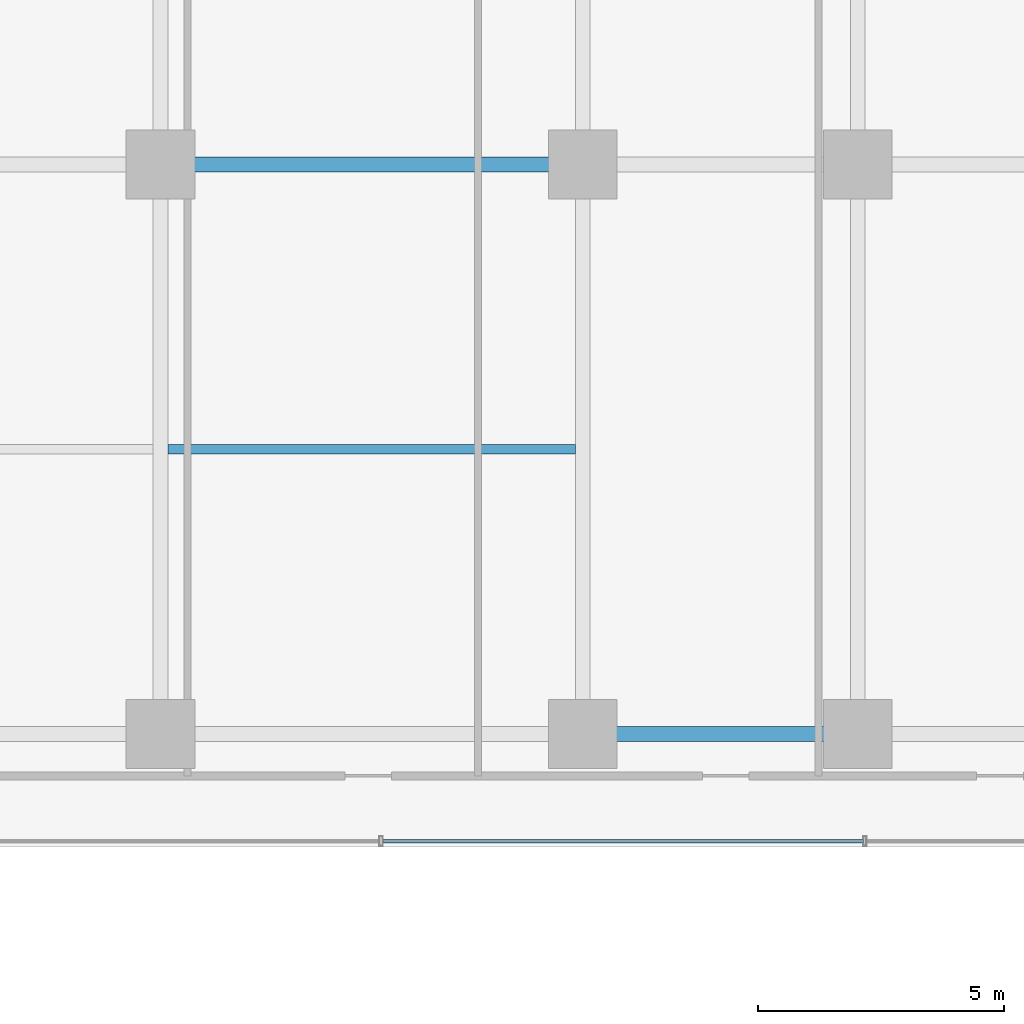
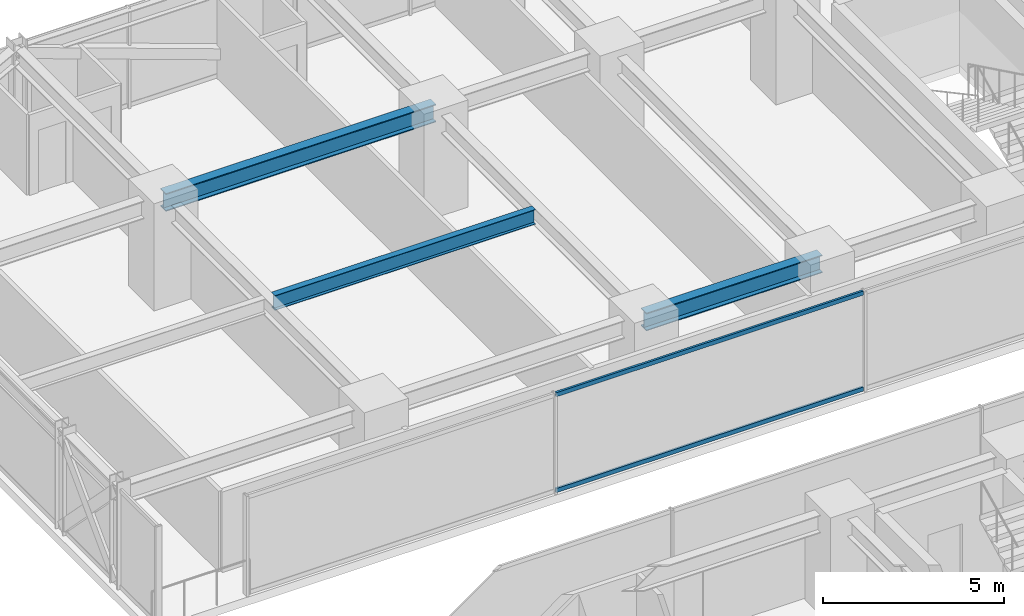
# One storey, part 22 of 43: 3 beams, 2 members, 1 element without a shape of its own.
"""IFC4 building model written with IfcOpenShell, lengths in metres."""

from ifc_helpers import new_model, si_unit, direction, frame, origin, origin_2d, place, context, subcontext, project, spatial, hollow_rectangle, i_section, extrude, source, transform, mapped, material, material_profile, profile_set, type_object, element, aggregate, save


model = new_model("IFC4")

# Units and contexts
model_context = context("Model", 3, precision=1e-05, world=origin(), true_north=direction((0.0, 1.0)))
body_context = subcontext(model_context, "Body", "Model", "MODEL_VIEW")
ifc_project = project(units=[si_unit("LENGTHUNIT", "METRE"), si_unit("AREAUNIT", "SQUARE_METRE"), si_unit("VOLUMEUNIT", "CUBIC_METRE"), si_unit("PLANEANGLEUNIT", "RADIAN"), si_unit("MASSUNIT", "GRAM", prefix="KILO")], contexts=[model_context])

# Site, building, storey
site_placement = place(None, origin())
site = spatial("IfcSite", under=ifc_project, at=site_placement, CompositionType="ELEMENT")
building_placement = place(site_placement, origin())
building = spatial("IfcBuilding", under=site, at=building_placement, Name="Nahalor Promenade Grand Hotel", CompositionType="ELEMENT")
storey_placement = place(building_placement, frame((0.0, 0.0, 57.949951171875)))
storey = spatial("IfcBuildingStorey", under=building, at=storey_placement, Name="L13", CompositionType="ELEMENT", Elevation=57.949951171875)

# Beams
ifc_material_1 = material(Name="Steel S355JR", Category="steel")
ifc_material_profile_1 = material_profile(ifc_material_1, i_section(OverallWidth=0.3, OverallDepth=0.6, WebThickness=0.0155, FlangeThickness=0.03, at=origin_2d()), Name="HEB 600")
ifc_profile_set_1 = profile_set([ifc_material_profile_1], Name="Steel S355JR")
beam_type_1 = type_object("IfcBeamType", Name="Beam-Girder-HEB600", PredefinedType="BEAM", material=ifc_profile_set_1)
shared_shape_1 = source(origin(), body_context, "Body", "SweptSolid", [
    extrude(i_section(OverallWidth=0.3, OverallDepth=0.6, WebThickness=0.0155, FlangeThickness=0.03, at=origin_2d()), origin(), (0.0, 0.0, 1.0), 8.60009765625),
])
beam_1_placement = place(storey_placement, frame((-17.0, 17.0, 3.070068359375), z_axis=(1.0, 0.0, 0.0), x_axis=(0.0, 1.0, 0.0)))
element("IfcBeam", 1, at=beam_1_placement, inside=storey, type_object=beam_type_1, Name="BM-L13-GX-3-1", PredefinedType="BEAM", context=body_context, shape_type="MappedRepresentation", body=[
    mapped(shared_shape_1, transform((0.0, 0.0, 0.0), scale=1.0)),
])
shared_shape_2 = source(origin(), body_context, "Body", "SweptSolid", [
    extrude(i_section(OverallWidth=0.3, OverallDepth=0.6, WebThickness=0.0155, FlangeThickness=0.03, at=origin_2d()), origin(), (0.0, 0.0, 1.0), 5.599853515625),
])
beam_2_placement = place(storey_placement, frame((-8.39990234375, 5.39990234375, 3.070068359375), z_axis=(1.0, 0.0, 0.0), x_axis=(0.0, 1.0, 0.0)))
element("IfcBeam", 2, at=beam_2_placement, inside=storey, type_object=beam_type_1, Name="BM-L13-GX-2-2", PredefinedType="BEAM", context=body_context, shape_type="MappedRepresentation", body=[
    mapped(shared_shape_2, transform((0.0, 0.0, 0.0), scale=1.0)),
])
ifc_material_profile_2 = material_profile(ifc_material_1, i_section(OverallWidth=0.2, OverallDepth=0.5, WebThickness=0.0102, FlangeThickness=0.016, at=origin_2d()), Name="IPE 500")
ifc_profile_set_2 = profile_set([ifc_material_profile_2], Name="Steel S355JR")
beam_type_2 = type_object("IfcBeamType", Name="Beam-Joist-IPE500", PredefinedType="JOIST", material=ifc_profile_set_2)
shared_shape_3 = source(origin(), body_context, "Body", "SweptSolid", [
    extrude(i_section(OverallWidth=0.2, OverallDepth=0.5, WebThickness=0.0102, FlangeThickness=0.016, at=origin_2d()), origin(), (0.0, 0.0, 1.0), 8.300048828125),
])
beam_3_placement = place(storey_placement, frame((-16.85009765625, 11.199951171875, 3.1201171875), z_axis=(1.0, 0.0, 0.0), x_axis=(0.0, 1.0, 0.0)))
element("IfcBeam", 3, at=beam_3_placement, inside=storey, type_object=beam_type_2, Name="BM-L13-JSW-1-1", PredefinedType="JOIST", context=body_context, shape_type="MappedRepresentation", body=[
    mapped(shared_shape_3, transform((0.0, 0.0, 0.0), scale=1.0)),
])

# Curtain wall, members
ifc_material_2 = material(Name="Anodised Bronze Aluminium EN AW-6063 T6", Category="aluminium")
curtain_wall_type = type_object("IfcCurtainWallType", Name="CW3 Elliptical-Void Collar Unitised Curtain Wall", PredefinedType="USERDEFINED", material=ifc_material_2)
curtain_wall_placement = place(storey_placement, origin())
curtain_wall = element("IfcCurtainWall", 4, at=curtain_wall_placement, inside=storey, type_object=curtain_wall_type, Name="L13 Curtain Wall CW-L13-VOID-WN1", ObjectType="UNITISED_CURTAIN_WALL", PredefinedType="USERDEFINED")
ifc_material_profile_3 = material_profile(ifc_material_2, hollow_rectangle(XDim=0.07, YDim=0.14, WallThickness=0.004, at=origin_2d()), Name="CWT 70x140x4")
ifc_profile_set_3 = profile_set([ifc_material_profile_3], Name="Anodised Bronze Aluminium EN AW-6063 T6")
member_type = type_object("IfcMemberType", Name="CWT3 Void Collar Transom 70x140", PredefinedType="USERDEFINED", material=ifc_profile_set_3)
shared_shape_4 = source(origin(), body_context, "Body", "SweptSolid", [
    extrude(hollow_rectangle(XDim=0.07, YDim=0.14, WallThickness=0.004, at=origin_2d()), origin(), (0.0, 0.0, 1.0), 9.783447265625),
])
member_1_placement = place(storey_placement, frame((-12.4716796875, 3.219970703125, 0.070068359375), z_axis=(1.0, 0.0, 0.0), x_axis=(0.0, 1.0, 0.0)))
member_1 = element("IfcMember", 5, at=member_1_placement, type_object=member_type, Name="CW-L13-VOID-WN1 Transom 1-0", ObjectType="TRANSOM", PredefinedType="USERDEFINED", context=body_context, shape_type="MappedRepresentation", body=[
    mapped(shared_shape_4, transform((0.0, 0.0, 0.0), scale=1.0)),
])
member_2_placement = place(storey_placement, frame((-12.4716796875, 3.219970703125, 3.300048828125), z_axis=(1.0, 0.0, 0.0), x_axis=(0.0, 1.0, 0.0)))
member_2 = element("IfcMember", 6, at=member_2_placement, type_object=member_type, Name="CW-L13-VOID-WN1 Transom 1-1", ObjectType="TRANSOM", PredefinedType="USERDEFINED", context=body_context, shape_type="MappedRepresentation", body=[
    mapped(shared_shape_4, transform((0.0, 0.0, 0.0), scale=1.0)),
])
aggregate(curtain_wall, [member_1, member_2])

save(model, "model.ifc")
